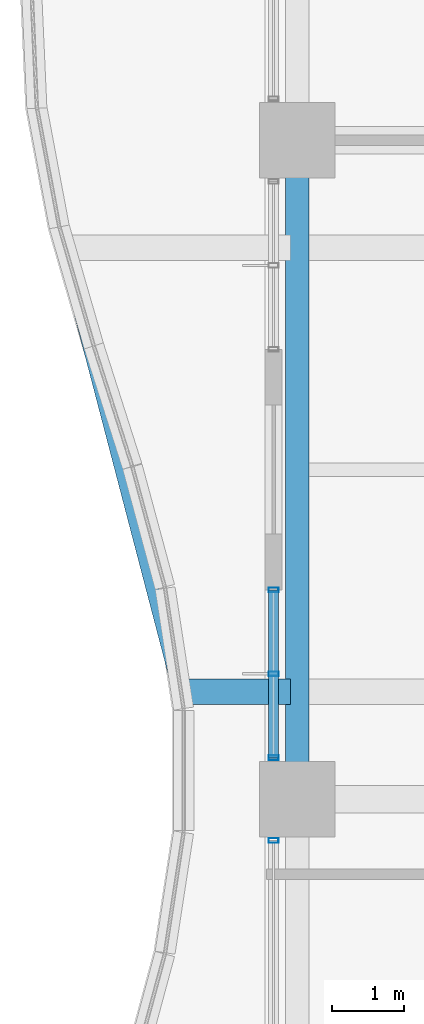
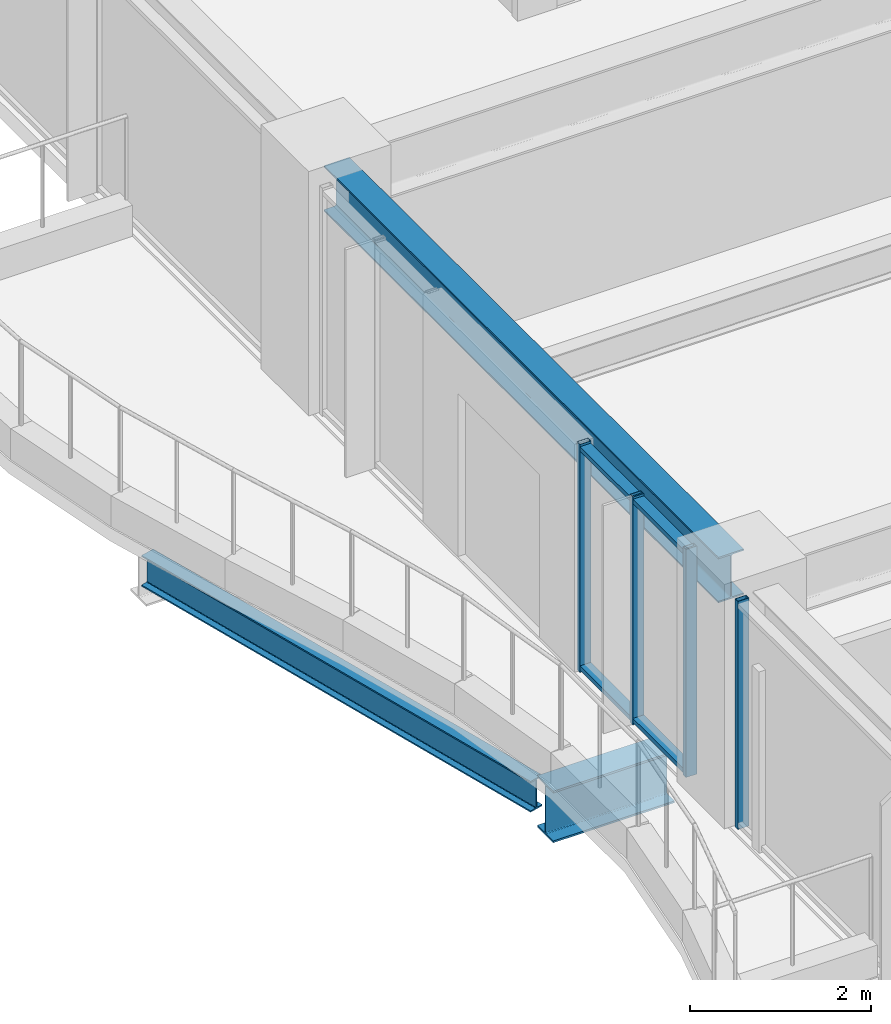
# One storey, part 7 of 38: 6 members, 3 beams, 2 elements without a shape of their own.
"""IFC4 building model written with IfcOpenShell, lengths in metres."""

from ifc_helpers import new_model, si_unit, direction, frame, origin, origin_2d, place, context, subcontext, project, spatial, hollow_rectangle, i_section, extrude, material, material_profile, profile_set, type_object, element, aggregate, save


model = new_model("IFC4")

# Units and contexts
model_context = context("Model", 3, precision=1e-05, world=origin(), true_north=direction((0.0, 1.0)))
body_context = subcontext(model_context, "Body", "Model", "MODEL_VIEW")
ifc_project = project(units=[si_unit("LENGTHUNIT", "METRE"), si_unit("AREAUNIT", "SQUARE_METRE"), si_unit("VOLUMEUNIT", "CUBIC_METRE"), si_unit("PLANEANGLEUNIT", "RADIAN"), si_unit("MASSUNIT", "GRAM", prefix="KILO")], contexts=[model_context])

# Site, building, storey
site_placement = place(None, origin())
site = spatial("IfcSite", under=ifc_project, at=site_placement, CompositionType="ELEMENT")
building_placement = place(site_placement, origin())
building = spatial("IfcBuilding", under=site, at=building_placement, Name="Kolvaren Belvedere", CompositionType="ELEMENT")
storey_placement = place(building_placement, frame((0.0, 0.0, 101.89990234375)))
storey = spatial("IfcBuildingStorey", under=building, at=storey_placement, Name="L29", CompositionType="ELEMENT", Elevation=101.89990234375)

# Beams
ifc_material_1 = material(Name="Structural steel ASTM A992 Grade 50", Category="steel")
ifc_material_profile_1 = material_profile(ifc_material_1, i_section(OverallWidth=0.35498046875, OverallDepth=0.696044921875, WebThickness=0.015380859375, FlangeThickness=0.02490234375, FilletRadius=0.02197265625, at=origin_2d()), Name="W27X146")
ifc_profile_set_1 = profile_set([ifc_material_profile_1], Name="Structural steel ASTM A992 Grade 50")
beam_type_1 = type_object("IfcBeamType", Name="BM-CANT-BAL", PredefinedType="BEAM", material=ifc_profile_set_1)
beam_1_placement = place(storey_placement, frame((-20.044921875, -3.10009765625, -0.56787109375), z_axis=(-1.0, 0.0, 0.0), x_axis=(0.0, -1.0, 0.0)))
element("IfcBeam", 1, at=beam_1_placement, inside=storey, type_object=beam_type_1, Name="L29 Planted Balcony Cantilever BAL-W-1", PredefinedType="BEAM", context=body_context, shape_type="SweptSolid", body=[
    extrude(i_section(OverallWidth=0.35498046875, OverallDepth=0.696044921875, WebThickness=0.015380859375, FlangeThickness=0.02490234375, FilletRadius=0.02197265625, at=origin_2d()), origin(), (0.0, 0.0, 1.0), 1.549072265625),
])
ifc_material_2 = material(Name="Structural steel ASTM A992 Grade 50", Category="steel")
ifc_material_profile_2 = material_profile(ifc_material_2, i_section(OverallWidth=0.180908203125, OverallDepth=0.4169921875, WebThickness=0.010986328125, FlangeThickness=0.018310546875, FilletRadius=0.013916015625, at=origin_2d()), Name="W16X57")
ifc_profile_set_2 = profile_set([ifc_material_profile_2], Name="Structural steel ASTM A992 Grade 50")
beam_type_2 = type_object("IfcBeamType", Name="BM-EDGE-W16X57", PredefinedType="BEAM", material=ifc_profile_set_2)
beam_2_placement = place(storey_placement, frame((-21.62939453125, -2.964599609375, -0.428466796875), z_axis=(-0.25266515985, 0.9675537799, 0.0), x_axis=(-0.9675537799, -0.25266515985, 0.0)))
element("IfcBeam", 2, at=beam_2_placement, inside=storey, type_object=beam_type_2, Name="L29 Balcony Tip Header Beam BAL-W", PredefinedType="BEAM", context=body_context, shape_type="SweptSolid", body=[
    extrude(i_section(OverallWidth=0.180908203125, OverallDepth=0.4169921875, WebThickness=0.010986328125, FlangeThickness=0.018310546875, FilletRadius=0.013916015625, at=origin_2d()), origin(), (0.0, 0.0, 1.0), 6.1279296875),
])
ifc_material_3 = material(Name="Structural steel ASTM A992 Grade 50", Category="steel")
ifc_material_profile_3 = material_profile(ifc_material_3, i_section(OverallWidth=0.324951171875, OverallDepth=0.615966796875, WebThickness=0.013916015625, FlangeThickness=0.021484375, FilletRadius=0.02001953125, at=origin_2d()), Name="W24X117")
ifc_profile_set_3 = profile_set([ifc_material_profile_3], Name="Structural steel ASTM A992 Grade 50")
beam_type_3 = type_object("IfcBeamType", Name="BM-SPAN-W24X117", PredefinedType="SPANDREL", material=ifc_profile_set_3)
beam_3_placement = place(storey_placement, frame((-19.949951171875, 4.36376953125, 2.772216796875), z_axis=(0.0, -1.0, 0.0), x_axis=(1.0, 0.0, 0.0)))
element("IfcBeam", 3, at=beam_3_placement, inside=storey, type_object=beam_type_3, Name="L29 Perimeter Spandrel W3-W2", PredefinedType="SPANDREL", context=body_context, shape_type="SweptSolid", body=[
    extrude(i_section(OverallWidth=0.324951171875, OverallDepth=0.615966796875, WebThickness=0.013916015625, FlangeThickness=0.021484375, FilletRadius=0.02001953125, at=origin_2d()), origin(), (0.0, 0.0, 1.0), 8.7275390625),
])

# Curtain wall, member
ifc_material_4 = material(Name="Anodised pale-metal aluminium AA 6063-T6", Category="aluminium")
curtain_wall_type = type_object("IfcCurtainWallType", Name="CW-Z2-MID", PredefinedType="NOTDEFINED", material=ifc_material_4)
curtain_wall_1_placement = place(storey_placement, origin())
curtain_wall_1 = element("IfcCurtainWall", 4, at=curtain_wall_1_placement, inside=storey, type_object=curtain_wall_type, Name="L29 Unitised Curtain Wall FCW-L29-W1-B1", PredefinedType="NOTDEFINED")
ifc_material_5 = material(Name="Anodised pale-metal aluminium AA 6063-T6", Category="aluminium")
ifc_material_profile_4 = material_profile(ifc_material_5, hollow_rectangle(XDim=0.06494140625, YDim=0.139892578125, WallThickness=0.00390625, at=origin_2d()), Name="ALU-MUL-140X65")
ifc_profile_set_4 = profile_set([ifc_material_profile_4], Name="Anodised pale-metal aluminium AA 6063-T6")
member_type_1 = type_object("IfcMemberType", Name="CW-MUL-140", PredefinedType="MULLION", material=ifc_profile_set_4)
member_1_placement = place(storey_placement, frame((-20.280029296875, -5.177490234375, 0.0), z_axis=(0.0, 0.0, 1.0), x_axis=(0.0, 1.0, 0.0)))
member_1 = element("IfcMember", 5, at=member_1_placement, type_object=member_type_1, Name="FCW-L29-W1-B1 Unitised Mullion 3", PredefinedType="MULLION", context=body_context, shape_type="SweptSolid", body=[
    extrude(hollow_rectangle(XDim=0.06494140625, YDim=0.139892578125, WallThickness=0.00390625, at=origin_2d()), origin(), (0.0, 0.0, 1.0), 3.080078125),
])
aggregate(curtain_wall_1, [member_1])

# Curtain wall, members
curtain_wall_2_placement = place(storey_placement, origin())
curtain_wall_2 = element("IfcCurtainWall", 6, at=curtain_wall_2_placement, inside=storey, type_object=curtain_wall_type, Name="L29 Unitised Curtain Wall FCW-L29-W1-B2", PredefinedType="NOTDEFINED")
member_2_placement = place(storey_placement, frame((-20.280029296875, -4.0224609375, 0.0), z_axis=(0.0, 0.0, 1.0), x_axis=(0.0, 1.0, 0.0)))
member_2 = element("IfcMember", 7, at=member_2_placement, type_object=member_type_1, Name="FCW-L29-W1-B2 Unitised Mullion 1", PredefinedType="MULLION", context=body_context, shape_type="SweptSolid", body=[
    extrude(hollow_rectangle(XDim=0.06494140625, YDim=0.139892578125, WallThickness=0.00390625, at=origin_2d()), origin(), (0.0, 0.0, 1.0), 3.080078125),
])
member_3_placement = place(storey_placement, frame((-20.280029296875, -2.851318359375, 0.0), z_axis=(0.0, 0.0, 1.0), x_axis=(0.0, 1.0, 0.0)))
member_3 = element("IfcMember", 8, at=member_3_placement, type_object=member_type_1, Name="FCW-L29-W1-B2 Unitised Mullion 2", PredefinedType="MULLION", context=body_context, shape_type="SweptSolid", body=[
    extrude(hollow_rectangle(XDim=0.06494140625, YDim=0.139892578125, WallThickness=0.00390625, at=origin_2d()), origin(), (0.0, 0.0, 1.0), 3.080078125),
])
member_4_placement = place(storey_placement, frame((-20.280029296875, -1.679931640625, 0.0), z_axis=(0.0, 0.0, 1.0), x_axis=(0.0, 1.0, 0.0)))
member_4 = element("IfcMember", 9, at=member_4_placement, type_object=member_type_1, Name="FCW-L29-W1-B2 Unitised Mullion 3", PredefinedType="MULLION", context=body_context, shape_type="SweptSolid", body=[
    extrude(hollow_rectangle(XDim=0.06494140625, YDim=0.139892578125, WallThickness=0.00390625, at=origin_2d()), origin(), (0.0, 0.0, 1.0), 3.080078125),
])
ifc_material_6 = material(Name="Anodised pale-metal aluminium AA 6063-T6", Category="aluminium")
ifc_material_profile_5 = material_profile(ifc_material_6, hollow_rectangle(XDim=0.06005859375, YDim=0.139892578125, WallThickness=0.00390625, at=origin_2d()), Name="ALU-TRN-140X60")
ifc_profile_set_5 = profile_set([ifc_material_profile_5], Name="Anodised pale-metal aluminium AA 6063-T6")
member_type_2 = type_object("IfcMemberType", Name="CW-TRN-140", PredefinedType="USERDEFINED", material=ifc_profile_set_5)
member_5_placement = place(storey_placement, frame((-20.280029296875, -4.0224609375, 0.06005859375), z_axis=(0.0, 1.0, 0.0), x_axis=(0.0, 0.0, 1.0)))
member_5 = element("IfcMember", 10, at=member_5_placement, type_object=member_type_2, Name="FCW-L29-W1-B2 Sill Transom", ObjectType="TRANSOM", PredefinedType="USERDEFINED", context=body_context, shape_type="SweptSolid", body=[
    extrude(hollow_rectangle(XDim=0.06005859375, YDim=0.139892578125, WallThickness=0.00390625, at=origin_2d()), origin(), (0.0, 0.0, 1.0), 2.342529296875),
])
member_6_placement = place(storey_placement, frame((-20.280029296875, -4.0224609375, 3.02001953125), z_axis=(0.0, 1.0, 0.0), x_axis=(0.0, 0.0, 1.0)))
member_6 = element("IfcMember", 11, at=member_6_placement, type_object=member_type_2, Name="FCW-L29-W1-B2 Head Transom", ObjectType="TRANSOM", PredefinedType="USERDEFINED", context=body_context, shape_type="SweptSolid", body=[
    extrude(hollow_rectangle(XDim=0.06005859375, YDim=0.139892578125, WallThickness=0.00390625, at=origin_2d()), origin(), (0.0, 0.0, 1.0), 2.342529296875),
])
aggregate(curtain_wall_2, [member_2, member_3, member_4, member_5, member_6])

save(model, "model.ifc")
